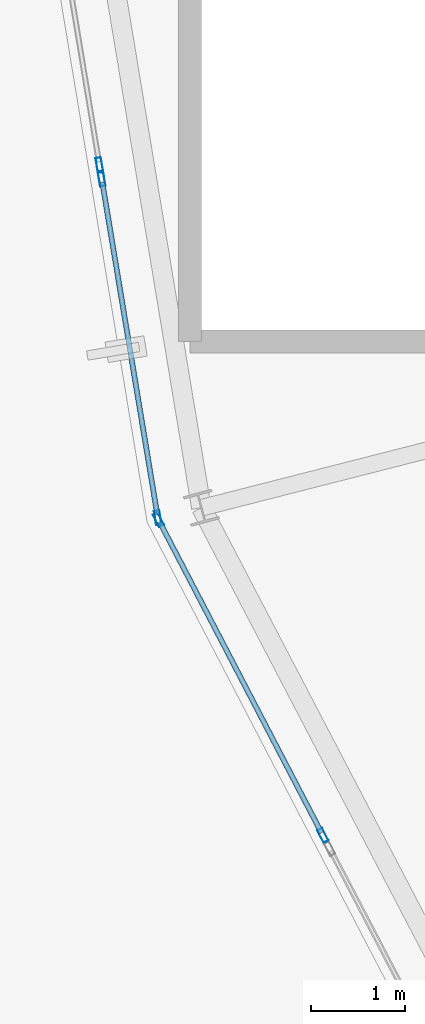
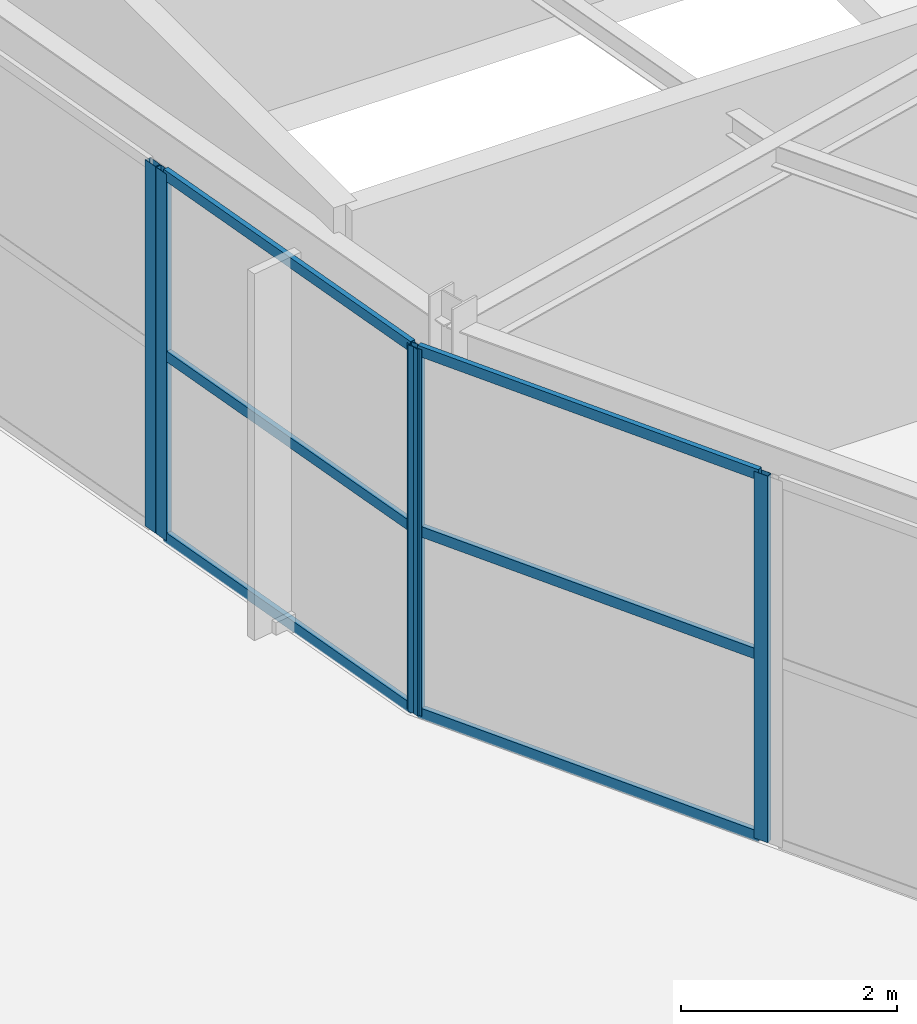
# One storey, part 24 of 126: 11 members, 3 elements without a shape of their own.
"""IFC4 building model written with IfcOpenShell, lengths in metres."""

from ifc_helpers import new_model, si_unit, direction, frame, origin, origin_2d, place, context, subcontext, project, spatial, hollow_rectangle, extrude, material, layer, layer_set, material_profile, profile_set, type_object, element, aggregate, save


model = new_model("IFC4")

# Units and contexts
model_context = context("Model", 3, precision=1e-05, world=origin(), true_north=direction((0.0, 1.0)))
body_context = subcontext(model_context, "Body", "Model", "MODEL_VIEW")
ifc_project = project(units=[si_unit("LENGTHUNIT", "METRE"), si_unit("AREAUNIT", "SQUARE_METRE"), si_unit("VOLUMEUNIT", "CUBIC_METRE"), si_unit("PLANEANGLEUNIT", "RADIAN"), si_unit("MASSUNIT", "GRAM", prefix="KILO")], contexts=[model_context])

# Site, building, storey
site_placement = place(None, origin())
site = spatial("IfcSite", under=ifc_project, at=site_placement, CompositionType="ELEMENT")
building_placement = place(site_placement, origin())
building = spatial("IfcBuilding", under=site, at=building_placement, Name="Kalgoora Escarpment Arena", CompositionType="ELEMENT")
storey_placement = place(building_placement, frame((0.0, 0.0, 18.89990234375)))
storey = spatial("IfcBuildingStorey", under=building, at=storey_placement, Name="L04", CompositionType="ELEMENT", Elevation=18.89990234375)

# Curtain wall, members
ifc_material_1 = material(Name=" Champagne anodised aluminium & double-glazed low-E", Category="aluminium")
ifc_layer_1 = layer(ifc_material_1, 0.166015625)
ifc_layer_set_1 = layer_set([ifc_layer_1], Name="CW-UNIT-14")
curtain_wall_type_1 = type_object("IfcCurtainWallType", Name="CW-UNIT-14", PredefinedType="NOTDEFINED", material=ifc_layer_set_1)
curtain_wall_1_placement = place(storey_placement, origin())
curtain_wall_1 = element("IfcCurtainWall", 1, at=curtain_wall_1_placement, inside=storey, type_object=curtain_wall_type_1, Name="L04 unitised facade curtain wall 133", PredefinedType="NOTDEFINED")
ifc_material_2 = material(Name="Anodised aluminium 6063-T6", Category="aluminium")
ifc_material_profile_1 = material_profile(ifc_material_2, hollow_rectangle(XDim=0.06005859375, YDim=0.14990234375, WallThickness=0.00341796875, at=origin_2d()))
ifc_profile_set_1 = profile_set([ifc_material_profile_1], Name="Anodised aluminium 6063-T6")
member_type_1 = type_object("IfcMemberType", Name="MEM-CW-MULL-150", PredefinedType="MULLION", material=ifc_profile_set_1)
member_1_placement = place(storey_placement, frame((24.3447265625, 45.745361328125, 0.02001953125), z_axis=(0.0, 0.0, 1.0), x_axis=(-0.886980759432, -0.461806379771, 0.0)))
member_1 = element("IfcMember", 2, at=member_1_placement, type_object=member_type_1, Name="CW-14 mullion 1", PredefinedType="MULLION", context=body_context, shape_type="SweptSolid", body=[
    extrude(hollow_rectangle(XDim=0.06005859375, YDim=0.14990234375, WallThickness=0.00341796875, at=origin_2d()), origin(), (0.0, 0.0, 1.0), 4.150146484375),
])
member_2_placement = place(storey_placement, frame((22.587158203125, 49.120849609375, 0.02001953125), z_axis=(0.0, 0.0, 1.0), x_axis=(-0.886980759432, -0.461806379771, 0.0)))
member_2 = element("IfcMember", 3, at=member_2_placement, type_object=member_type_1, Name="CW-14 mullion 2", PredefinedType="MULLION", context=body_context, shape_type="SweptSolid", body=[
    extrude(hollow_rectangle(XDim=0.06005859375, YDim=0.14990234375, WallThickness=0.00341796875, at=origin_2d()), origin(), (0.0, 0.0, 1.0), 4.150146484375),
])

ifc_material_3 = material(Name=" Champagne anodised aluminium & double-glazed low-E", Category="aluminium")
ifc_layer_2 = layer(ifc_material_3, 0.14990234375)
ifc_layer_set_2 = layer_set([ifc_layer_2], Name="CW-UNIT-15")
curtain_wall_type_2 = type_object("IfcCurtainWallType", Name="CW-UNIT-15", PredefinedType="NOTDEFINED", material=ifc_layer_set_2)
curtain_wall_2_placement = place(storey_placement, origin())
curtain_wall_2 = element("IfcCurtainWall", 4, at=curtain_wall_2_placement, inside=storey, type_object=curtain_wall_type_2, Name="L04 unitised facade curtain wall 134", PredefinedType="NOTDEFINED")
member_3_placement = place(storey_placement, frame((22.58056640625, 49.14111328125, 0.02001953125), z_axis=(0.0, 0.0, 1.0), x_axis=(-0.986582502951, -0.163263482966, 0.0)))
member_3 = element("IfcMember", 5, at=member_3_placement, type_object=member_type_1, Name="CW-15 mullion 1", PredefinedType="MULLION", context=body_context, shape_type="SweptSolid", body=[
    extrude(hollow_rectangle(XDim=0.06005859375, YDim=0.14990234375, WallThickness=0.00341796875, at=origin_2d()), origin(), (0.0, 0.0, 1.0), 4.150146484375),
])
member_4_placement = place(storey_placement, frame((21.981689453125, 52.759765625, 0.02001953125), z_axis=(0.0, 0.0, 1.0), x_axis=(-0.986582502951, -0.163263482966, 0.0)))
member_4 = element("IfcMember", 6, at=member_4_placement, type_object=member_type_1, Name="CW-15 mullion 2", PredefinedType="MULLION", context=body_context, shape_type="SweptSolid", body=[
    extrude(hollow_rectangle(XDim=0.06005859375, YDim=0.14990234375, WallThickness=0.00341796875, at=origin_2d()), origin(), (0.0, 0.0, 1.0), 4.150146484375),
])

# Curtain wall, member
ifc_material_4 = material(Name=" Champagne anodised aluminium & double-glazed low-E", Category="aluminium")
ifc_layer_3 = layer(ifc_material_4, 0.154052734375)
ifc_layer_set_3 = layer_set([ifc_layer_3], Name="CW-UNIT-16")
curtain_wall_type_3 = type_object("IfcCurtainWallType", Name="CW-UNIT-16", PredefinedType="NOTDEFINED", material=ifc_layer_set_3)
curtain_wall_3_placement = place(storey_placement, origin())
curtain_wall_3 = element("IfcCurtainWall", 7, at=curtain_wall_3_placement, inside=storey, type_object=curtain_wall_type_3, Name="L04 unitised facade curtain wall 135", PredefinedType="NOTDEFINED")
member_5_placement = place(storey_placement, frame((21.95556640625, 52.91748046875, 0.02001953125), z_axis=(0.0, 0.0, 1.0), x_axis=(-0.986584326831, -0.163252461087, 0.0)))
member_5 = element("IfcMember", 8, at=member_5_placement, type_object=member_type_1, Name="CW-16 mullion 1", PredefinedType="MULLION", context=body_context, shape_type="SweptSolid", body=[
    extrude(hollow_rectangle(XDim=0.06005859375, YDim=0.14990234375, WallThickness=0.00341796875, at=origin_2d()), origin(), (0.0, 0.0, 1.0), 4.150146484375),
])
aggregate(curtain_wall_3, [member_5])

# Member
ifc_material_5 = material(Name="Anodised aluminium 6063-T6", Category="aluminium")
ifc_material_profile_2 = material_profile(ifc_material_5, hollow_rectangle(XDim=0.054931640625, YDim=0.1201171875, WallThickness=0.003173828125, at=origin_2d()))
ifc_profile_set_2 = profile_set([ifc_material_profile_2], Name="Anodised aluminium 6063-T6")
member_type_2 = type_object("IfcMemberType", Name="MEM-CW-TRAN-120", PredefinedType="USERDEFINED", material=ifc_profile_set_2)
member_6_placement = place(storey_placement, frame((24.330810546875, 45.77197265625, 0.047607421875), z_axis=(-0.461806233192, 0.886980835748, 0.0), x_axis=(-0.886980835748, -0.461806233192, 0.0)))
member_6 = element("IfcMember", 9, at=member_6_placement, type_object=member_type_2, Name="CW-14 transom 1.1", ObjectType="TRANSOM", PredefinedType="USERDEFINED", context=body_context, shape_type="SweptSolid", body=[
    extrude(hollow_rectangle(XDim=0.054931640625, YDim=0.1201171875, WallThickness=0.003173828125, at=origin_2d()), origin(), (0.0, 0.0, 1.0), 3.74560546875),
])

member_7_placement = place(storey_placement, frame((24.330810546875, 45.77197265625, 2.10498046875), z_axis=(-0.461806233192, 0.886980835748, 0.0), x_axis=(-0.886980835748, -0.461806233192, 0.0)))
member_7 = element("IfcMember", 10, at=member_7_placement, type_object=member_type_2, Name="CW-14 transom 1.2", ObjectType="TRANSOM", PredefinedType="USERDEFINED", context=body_context, shape_type="SweptSolid", body=[
    extrude(hollow_rectangle(XDim=0.054931640625, YDim=0.1201171875, WallThickness=0.003173828125, at=origin_2d()), origin(), (0.0, 0.0, 1.0), 3.74560546875),
])

member_8_placement = place(storey_placement, frame((24.330810546875, 45.77197265625, 4.142578125), z_axis=(-0.461806233192, 0.886980835748, 0.0), x_axis=(-0.886980835748, -0.461806233192, 0.0)))
member_8 = element("IfcMember", 11, at=member_8_placement, type_object=member_type_2, Name="CW-14 transom 1.3", ObjectType="TRANSOM", PredefinedType="USERDEFINED", context=body_context, shape_type="SweptSolid", body=[
    extrude(hollow_rectangle(XDim=0.054931640625, YDim=0.1201171875, WallThickness=0.003173828125, at=origin_2d()), origin(), (0.0, 0.0, 1.0), 3.74560546875),
])

aggregate(curtain_wall_1, [member_1, member_2, member_6, member_7, member_8])

member_9_placement = place(storey_placement, frame((22.57568359375, 49.1708984375, 0.047607421875), z_axis=(-0.163290539454, 0.986578025158, 0.0), x_axis=(-0.986578025158, -0.163290539454, 0.0)))
member_9 = element("IfcMember", 12, at=member_9_placement, type_object=member_type_2, Name="CW-15 transom 1.1", ObjectType="TRANSOM", PredefinedType="USERDEFINED", context=body_context, shape_type="SweptSolid", body=[
    extrude(hollow_rectangle(XDim=0.054931640625, YDim=0.1201171875, WallThickness=0.003173828125, at=origin_2d()), origin(), (0.0, 0.0, 1.0), 3.607666015625),
])

member_10_placement = place(storey_placement, frame((22.57568359375, 49.1708984375, 2.10498046875), z_axis=(-0.163290539454, 0.986578025158, 0.0), x_axis=(-0.986578025158, -0.163290539454, 0.0)))
member_10 = element("IfcMember", 13, at=member_10_placement, type_object=member_type_2, Name="CW-15 transom 1.2", ObjectType="TRANSOM", PredefinedType="USERDEFINED", context=body_context, shape_type="SweptSolid", body=[
    extrude(hollow_rectangle(XDim=0.054931640625, YDim=0.1201171875, WallThickness=0.003173828125, at=origin_2d()), origin(), (0.0, 0.0, 1.0), 3.607666015625),
])

member_11_placement = place(storey_placement, frame((22.57568359375, 49.1708984375, 4.142578125), z_axis=(-0.163290539454, 0.986578025158, 0.0), x_axis=(-0.986578025158, -0.163290539454, 0.0)))
member_11 = element("IfcMember", 14, at=member_11_placement, type_object=member_type_2, Name="CW-15 transom 1.3", ObjectType="TRANSOM", PredefinedType="USERDEFINED", context=body_context, shape_type="SweptSolid", body=[
    extrude(hollow_rectangle(XDim=0.054931640625, YDim=0.1201171875, WallThickness=0.003173828125, at=origin_2d()), origin(), (0.0, 0.0, 1.0), 3.607666015625),
])

aggregate(curtain_wall_2, [member_3, member_4, member_9, member_10, member_11])

save(model, "model.ifc")
